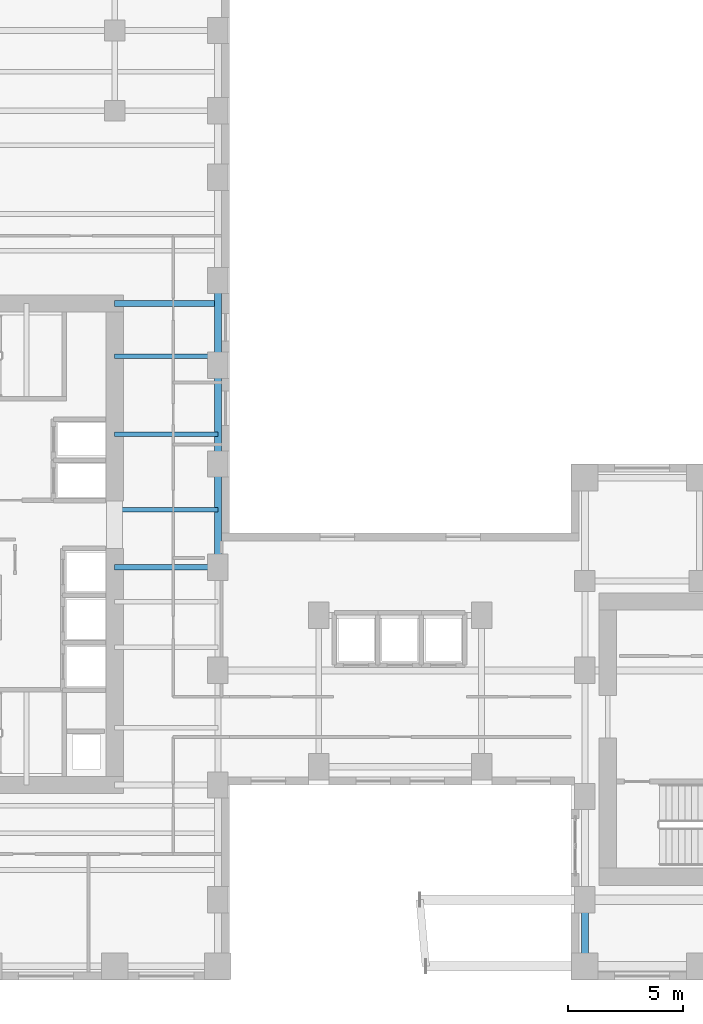
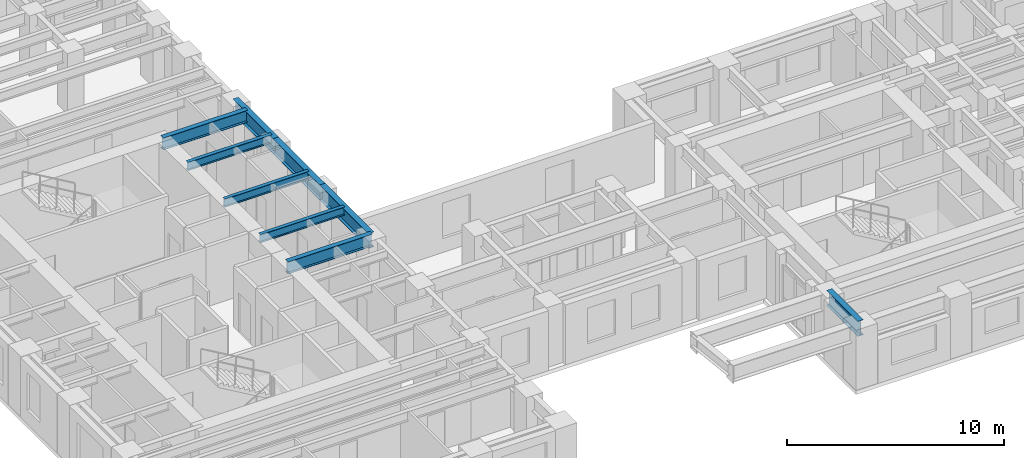
# One storey, part 2 of 14: 9 beams.
"""IFC4 building model written with IfcOpenShell, lengths in metres."""

import ifcopenshell
import ifcopenshell.guid

model = None  # the IFC model being written
_history = None  # IfcOwnerHistory: only IFC2X3 demands one
_inside = {}  # id of a spatial element -> (the spatial element, [elements in it])
_under = {}  # id of a project, library or spatial element -> (it, [spatial elements below it])
_declared = {}  # id of a project -> (the project, [libraries it declares])
_typed = {}  # id of a type object -> (the type object, [elements of that type])
_made_of = {}  # id of a material, layer set ... -> (it, [elements and type objects made of it])


def new_model(schema):
    """Start an empty IFC model of exactly this schema.

    Asked for "IFC4X3", IfcOpenShell would pick the latest addendum, in which some entities
    have other attributes; the version numbers below select the first issue.
    IFC2X3 requires an IfcOwnerHistory on every rooted entity: one is made here for all.
    """
    global model, _history
    if schema == "IFC4X3":
        model = ifcopenshell.file(schema_version=(4, 3, 0, 0))
    else:
        model = ifcopenshell.file(schema=schema)
    _inside.clear()
    _under.clear()
    _declared.clear()
    _typed.clear()
    _made_of.clear()
    _history = None
    if model.schema == "IFC2X3":
        org = make("IfcOrganization", Name="unknown")
        user = make(
            "IfcPersonAndOrganization",
            ThePerson=make("IfcPerson", FamilyName="unknown"),
            TheOrganization=org,
        )
        app = make(
            "IfcApplication",
            ApplicationDeveloper=org,
            Version="unknown",
            ApplicationFullName="unknown",
            ApplicationIdentifier="unknown",
        )
        _history = make(
            "IfcOwnerHistory",
            OwningUser=user,
            OwningApplication=app,
            ChangeAction="ADDED",
            CreationDate=0,
        )
    return model


def make(cls, **values):
    """One entity of the class cls with the attributes given. An attribute that is None is left unset."""
    return model.create_entity(
        cls, **{name: value for name, value in values.items() if value is not None}
    )


def rooted(cls, **values):
    """An entity with a GlobalId (a new one), such as an element, a storey or a relation."""
    return make(cls, GlobalId=ifcopenshell.guid.new(), OwnerHistory=_history, **values)


def si_unit(unit_type, name, prefix=None):
    """IfcSIUnit, for example si_unit("LENGTHUNIT", "METRE", prefix="MILLI")."""
    return make("IfcSIUnit", UnitType=unit_type, Prefix=prefix, Name=name)


def assignment(units):
    """IfcUnitAssignment: the units of a project."""
    return None if units is None else make("IfcUnitAssignment", Units=units)


def point(xyz):
    """IfcCartesianPoint."""
    return None if xyz is None else make("IfcCartesianPoint", Coordinates=xyz)


def direction(xyz):
    """IfcDirection."""
    return None if xyz is None else make("IfcDirection", DirectionRatios=xyz)


def frame(location, z_axis=None, x_axis=None):
    """IfcAxis2Placement3D, a coordinate frame: its origin and axes. An axis left out is left unset."""
    return make(
        "IfcAxis2Placement3D",
        Location=point(location),
        Axis=direction(z_axis),
        RefDirection=direction(x_axis),
    )


def frame_2d(location, x_axis=None):
    """IfcAxis2Placement2D, a coordinate frame in the plane: its origin and x axis."""
    return make(
        "IfcAxis2Placement2D", Location=point(location), RefDirection=direction(x_axis)
    )


def origin():
    """The frame at (0, 0, 0) with its axes left unset."""
    return frame((0.0, 0.0, 0.0))


def origin_2d():
    """The frame at (0, 0) in the plane with its x axis left unset."""
    return frame_2d((0.0, 0.0))


def place(relative_to, where):
    """IfcLocalPlacement: puts the frame where relative to a parent placement (None: the world)."""
    return make(
        "IfcLocalPlacement", PlacementRelTo=relative_to, RelativePlacement=where
    )


def context(
    kind, dimensions, precision=None, world=None, true_north=None, identifier=None
):
    """IfcGeometricRepresentationContext, for example the 3D "Model" context."""
    return make(
        "IfcGeometricRepresentationContext",
        ContextIdentifier=identifier,
        ContextType=kind,
        CoordinateSpaceDimension=dimensions,
        Precision=precision,
        WorldCoordinateSystem=world,
        TrueNorth=true_north,
    )


def subcontext(parent, identifier, kind, view, scale=None):
    """IfcGeometricRepresentationSubContext, for example "Body" below "Model"."""
    return make(
        "IfcGeometricRepresentationSubContext",
        ContextIdentifier=identifier,
        ContextType=kind,
        ParentContext=parent,
        TargetScale=scale,
        TargetView=view,
    )


def project(units=None, contexts=None):
    """IfcProject with its units and contexts."""
    return rooted(
        "IfcProject",
        Name="project",
        RepresentationContexts=contexts,
        UnitsInContext=assignment(units),
    )


def spatial(cls, under=None, at=None, **own):
    """A site, building, storey or space (cls), placed at a placement, below another one or the project."""
    s = rooted(cls, ObjectPlacement=at, **own)
    if under is not None:
        _under.setdefault(under.id(), (under, []))[1].append(s)
    return s


def profile(cls, at=None, kind="AREA", **sizes):
    """A parametric profile (cls). Its sizes go by their IFC names, for example OverallWidth=200.0."""
    return make(cls, ProfileType=kind, Position=at, **sizes)


def i_section(**sizes):
    """IfcIShapeProfileDef."""
    return profile("IfcIShapeProfileDef", **sizes)


def extrude(swept, where, along, depth):
    """IfcExtrudedAreaSolid: the profile swept, set in the frame where, extruded along a direction by depth."""
    return make(
        "IfcExtrudedAreaSolid",
        SweptArea=swept,
        Position=where,
        ExtrudedDirection=direction(along),
        Depth=depth,
    )


def shape(context_of_items, identifier, shape_type, items):
    """IfcShapeRepresentation: the items that make up one representation, for example the "Body"."""
    return make(
        "IfcShapeRepresentation",
        ContextOfItems=context_of_items,
        RepresentationIdentifier=identifier,
        RepresentationType=shape_type,
        Items=items,
    )


def source(mapping_origin, context_of_items, identifier, shape_type, items):
    """IfcRepresentationMap: a shape defined once, which mapped items show again and again."""
    return make(
        "IfcRepresentationMap",
        MappingOrigin=mapping_origin,
        MappedRepresentation=shape(context_of_items, identifier, shape_type, items),
    )


def transform(
    local_origin,
    x_axis=None,
    y_axis=None,
    z_axis=None,
    scale=None,
    scale2=None,
    scale3=None,
    uniform=True,
):
    """IfcCartesianTransformationOperator3D, or its non-uniform kind. x_axis, y_axis, z_axis: its Axis1, 2, 3."""
    if uniform:
        return make(
            "IfcCartesianTransformationOperator3D",
            Axis1=direction(x_axis),
            Axis2=direction(y_axis),
            LocalOrigin=point(local_origin),
            Scale=scale,
            Axis3=direction(z_axis),
        )
    return make(
        "IfcCartesianTransformationOperator3DnonUniform",
        Axis1=direction(x_axis),
        Axis2=direction(y_axis),
        LocalOrigin=point(local_origin),
        Scale=scale,
        Axis3=direction(z_axis),
        Scale2=scale2,
        Scale3=scale3,
    )


def mapped(mapping_source, mapping_target):
    """IfcMappedItem: shows the shape of a source again, moved by a transform."""
    return make(
        "IfcMappedItem", MappingSource=mapping_source, MappingTarget=mapping_target
    )


def material(Name=None, Category=None):
    """IfcMaterial."""
    return make("IfcMaterial", Name=Name, Category=Category)


def material_profile(
    of_material, cross_section, Name=None, Category=None, Priority=None
):
    """IfcMaterialProfile: a cross section and its material."""
    return make(
        "IfcMaterialProfile",
        Name=Name,
        Material=of_material,
        Profile=cross_section,
        Priority=Priority,
        Category=Category,
    )


def profile_set(profiles, Name=None, composite=None):
    """IfcMaterialProfileSet."""
    return make(
        "IfcMaterialProfileSet",
        Name=Name,
        MaterialProfiles=profiles,
        CompositeProfile=composite,
    )


def made_of(thing, what):
    """Note that an element or type object is made of a material, layer set ...; save() writes the relation."""
    if what is not None:
        _made_of.setdefault(what.id(), (what, []))[1].append(thing)
    return thing


def type_object(cls, material=None, **own):
    """A type object (cls), such as IfcWallType, which elements share."""
    return made_of(rooted(cls, **own), material)


def element(
    cls,
    number,
    at=None,
    inside=None,
    cuts=None,
    type_object=None,
    material=None,
    context=None,
    identifier="Body",
    shape_type=None,
    held_by="IfcProductDefinitionShape",
    body=None,
    shapes=None,
    **own,
):
    """One element of the class cls, such as IfcWall. Its Tag is "e" and its number.

    at: its placement. inside: the storey or other place that contains it. cuts: it is an
    opening in that element (IfcRelVoidsElement). A single representation is given by context,
    identifier, shape_type and body (its items); several are given by shapes. held_by: the class
    of the entity that holds the representations. save() writes the other relations.
    """
    e = rooted(cls, Tag="e%d" % number, ObjectPlacement=at, **own)
    if body is not None:
        shapes = [shape(context, identifier, shape_type, body)]
    if shapes is not None:
        e.Representation = make(held_by, Representations=shapes)
    if inside is not None:
        _inside.setdefault(inside.id(), (inside, []))[1].append(e)
    if cuts is not None:
        rooted(
            "IfcRelVoidsElement", RelatingBuildingElement=cuts, RelatedOpeningElement=e
        )
    if type_object is not None:
        _typed.setdefault(type_object.id(), (type_object, []))[1].append(e)
    return made_of(e, material)


def aggregate(whole, parts):
    """IfcRelAggregates: a whole, such as a stair, and the parts it consists of."""
    return rooted("IfcRelAggregates", RelatingObject=whole, RelatedObjects=parts)


def save(model, path):
    """Write the relations noted so far, then the file.

    IfcRelAggregates (storeys below a building ...), IfcRelContainedInSpatialStructure (elements
    in a storey), IfcRelDefinesByType, IfcRelAssociatesMaterial and IfcRelDeclares: one each for
    every whole, place, type object, material and project.
    """
    for whole, parts in _under.values():
        aggregate(whole, parts)
    for where, things in _inside.values():
        rooted(
            "IfcRelContainedInSpatialStructure",
            RelatedElements=things,
            RelatingStructure=where,
        )
    for kind, things in _typed.values():
        rooted("IfcRelDefinesByType", RelatedObjects=things, RelatingType=kind)
    for what, things in _made_of.values():
        rooted("IfcRelAssociatesMaterial", RelatedObjects=things, RelatingMaterial=what)
    for by, libraries in _declared.values():
        rooted("IfcRelDeclares", RelatingContext=by, RelatedDefinitions=libraries)
    model.write(path)


model = new_model("IFC4")

# Units and contexts
model_context = context("Model", 3, precision=1e-05, world=origin(), true_north=direction((0.0, 1.0)))
body_context = subcontext(model_context, "Body", "Model", "MODEL_VIEW")
ifc_project = project(units=[si_unit("LENGTHUNIT", "METRE"), si_unit("AREAUNIT", "SQUARE_METRE"), si_unit("VOLUMEUNIT", "CUBIC_METRE"), si_unit("PLANEANGLEUNIT", "RADIAN"), si_unit("MASSUNIT", "GRAM", prefix="KILO")], contexts=[model_context])

# Site, building, storey
site_placement = place(None, origin())
site = spatial("IfcSite", under=ifc_project, at=site_placement, CompositionType="ELEMENT")
building_placement = place(site_placement, origin())
building = spatial("IfcBuilding", under=site, at=building_placement, Name="Kharzan Plaza Tower", CompositionType="ELEMENT")
storey_placement = place(building_placement, frame((0.0, 0.0, 131.39990234375)))
storey = spatial("IfcBuildingStorey", under=building, at=storey_placement, Name="L35", CompositionType="ELEMENT", Elevation=131.39990234375)

# Beams
ifc_material = material(Name="Steel S355", Category="steel")
ifc_material_profile_1 = material_profile(ifc_material, i_section(OverallWidth=0.194091796875, OverallDepth=0.468994140625, WebThickness=0.011474609375, FlangeThickness=0.0205078125, at=origin_2d()), Name="W460x106")
ifc_profile_set_1 = profile_set([ifc_material_profile_1], Name="Steel S355")
beam_type_1 = type_object("IfcBeamType", Name="BM-JST460", PredefinedType="JOIST", material=ifc_profile_set_1)
shared_shape_1 = source(origin(), body_context, "Body", "SweptSolid", [
    extrude(i_section(OverallWidth=0.194091796875, OverallDepth=0.468994140625, WebThickness=0.011474609375, FlangeThickness=0.0205078125, at=origin_2d()), origin(), (0.0, 0.0, 1.0), 4.5),
])
for number, where, z_axis, x_axis, name in (
    (1, (14.5, 20.5, 3.1455078125), (1.0, 0.0, 0.0), (0.0, 1.0, 0.0), "L35 Wing A East Infill Joist 4"),
    (2, (14.5, 23.800048828125, 3.1455078125), (1.0, 0.0, 0.0), (0.0, 1.0, 0.0), "L35 Wing A East Infill Joist 5"),
    (3, (14.5, 27.199951171875, 3.1455078125), (1.0, 0.0, 0.0), (0.0, 1.0, 0.0), "L35 Wing A East Infill Joist 6"),
):
    element("IfcBeam", number, at=place(storey_placement, frame(where, z_axis=z_axis, x_axis=x_axis)), inside=storey, type_object=beam_type_1, Name=name, PredefinedType="JOIST", context=body_context, shape_type="MappedRepresentation", body=[
        mapped(shared_shape_1, transform((0.0, 0.0, 0.0), x_axis=(1.0, 0.0, 0.0), y_axis=(0.0, 1.0, 0.0), z_axis=(0.0, 0.0, 1.0))),
    ])
ifc_material_profile_2 = material_profile(ifc_material, i_section(OverallWidth=0.25390625, OverallDepth=0.68798828125, WebThickness=0.01318359375, FlangeThickness=0.02099609375, at=origin_2d()), Name="W690x152")
ifc_profile_set_2 = profile_set([ifc_material_profile_2], Name="Steel S355")
beam_type_2 = type_object("IfcBeamType", Name="BM-FG690B", PredefinedType="BEAM", material=ifc_profile_set_2)
shared_shape_2 = source(origin(), body_context, "Body", "SweptSolid", [
    extrude(i_section(OverallWidth=0.25390625, OverallDepth=0.68798828125, WebThickness=0.01318359375, FlangeThickness=0.02099609375, at=origin_2d()), origin(), (0.0, 0.0, 1.0), 4.5),
])
for number, where, z_axis, x_axis, name in (
    (4, (14.5, 18.0, 3.0361328125), (1.0, 0.0, 0.0), (0.0, 1.0, 0.0), "L35 Core-A East Floor Girder 2"),
    (5, (14.5, 29.5, 3.0361328125), (1.0, 0.0, 0.0), (0.0, 1.0, 0.0), "L35 Core-A East Floor Girder 3"),
):
    element("IfcBeam", number, at=place(storey_placement, frame(where, z_axis=z_axis, x_axis=x_axis)), inside=storey, type_object=beam_type_2, Name=name, PredefinedType="BEAM", context=body_context, shape_type="MappedRepresentation", body=[
        mapped(shared_shape_2, transform((0.0, 0.0, 0.0), x_axis=(1.0, 0.0, 0.0), y_axis=(0.0, 1.0, 0.0), z_axis=(0.0, 0.0, 1.0))),
    ])
ifc_material_profile_3 = material_profile(ifc_material, i_section(OverallWidth=0.299072265625, OverallDepth=0.845947265625, WebThickness=0.015380859375, FlangeThickness=0.0244140625, at=origin_2d()), Name="W840x210")
ifc_profile_set_3 = profile_set([ifc_material_profile_3], Name="Steel S355")
beam_type_3 = type_object("IfcBeamType", Name="BM-SP840B", PredefinedType="SPANDREL", material=ifc_profile_set_3)
shared_shape_3 = source(origin(), body_context, "Body", "SweptSolid", [
    extrude(i_section(OverallWidth=0.299072265625, OverallDepth=0.845947265625, WebThickness=0.015380859375, FlangeThickness=0.0244140625, at=origin_2d()), origin(), (0.0, 0.0, 1.0), 4.5),
])
beam_1_placement = place(storey_placement, frame((19.0, 18.0, 2.95703125), z_axis=(0.0, 1.0, 0.0), x_axis=(-1.0, 0.0, 0.0)))
element("IfcBeam", 6, at=beam_1_placement, inside=storey, type_object=beam_type_3, Name="L35 Perimeter Tube Spandrel", PredefinedType="SPANDREL", context=body_context, shape_type="MappedRepresentation", body=[
    mapped(shared_shape_3, transform((0.0, 0.0, 0.0), x_axis=(1.0, 0.0, 0.0), y_axis=(0.0, 1.0, 0.0), z_axis=(0.0, 0.0, 1.0))),
])
shared_shape_4 = source(origin(), body_context, "Body", "SweptSolid", [
    extrude(i_section(OverallWidth=0.299072265625, OverallDepth=0.845947265625, WebThickness=0.015380859375, FlangeThickness=0.0244140625, at=origin_2d()), origin(), (0.0, 0.0, 1.0), 4.300048828125),
])
beam_2_placement = place(storey_placement, frame((19.0, 22.5, 2.95703125), z_axis=(0.0, 1.0, 0.0), x_axis=(-1.0, 0.0, 0.0)))
element("IfcBeam", 7, at=beam_2_placement, inside=storey, type_object=beam_type_3, Name="L35 Perimeter Tube Spandrel", PredefinedType="SPANDREL", context=body_context, shape_type="MappedRepresentation", body=[
    mapped(shared_shape_4, transform((0.0, 0.0, 0.0), x_axis=(1.0, 0.0, 0.0), y_axis=(0.0, 1.0, 0.0), z_axis=(0.0, 0.0, 1.0))),
])
shared_shape_5 = source(origin(), body_context, "Body", "SweptSolid", [
    extrude(i_section(OverallWidth=0.299072265625, OverallDepth=0.845947265625, WebThickness=0.015380859375, FlangeThickness=0.0244140625, at=origin_2d()), origin(), (0.0, 0.0, 1.0), 3.699951171875),
])
beam_3_placement = place(storey_placement, frame((19.0, 26.800048828125, 2.95703125), z_axis=(0.0, 1.0, 0.0), x_axis=(-1.0, 0.0, 0.0)))
element("IfcBeam", 8, at=beam_3_placement, inside=storey, type_object=beam_type_3, Name="L35 Perimeter Tube Spandrel", PredefinedType="SPANDREL", context=body_context, shape_type="MappedRepresentation", body=[
    mapped(shared_shape_5, transform((0.0, 0.0, 0.0), x_axis=(1.0, 0.0, 0.0), y_axis=(0.0, 1.0, 0.0), z_axis=(0.0, 0.0, 1.0))),
])
shared_shape_6 = source(origin(), body_context, "Body", "SweptSolid", [
    extrude(i_section(OverallWidth=0.299072265625, OverallDepth=0.845947265625, WebThickness=0.015380859375, FlangeThickness=0.0244140625, at=origin_2d()), origin(), (0.0, 0.0, 1.0), 2.89990234375),
])
beam_4_placement = place(storey_placement, frame((35.0, 0.60009765625, 2.95703125), z_axis=(0.0, 1.0, 0.0), x_axis=(-1.0, 0.0, 0.0)))
element("IfcBeam", 9, at=beam_4_placement, inside=storey, type_object=beam_type_3, Name="L35 Perimeter Tube Spandrel", PredefinedType="SPANDREL", context=body_context, shape_type="MappedRepresentation", body=[
    mapped(shared_shape_6, transform((0.0, 0.0, 0.0), x_axis=(1.0, 0.0, 0.0), y_axis=(0.0, 1.0, 0.0), z_axis=(0.0, 0.0, 1.0))),
])

save(model, "model.ifc")
